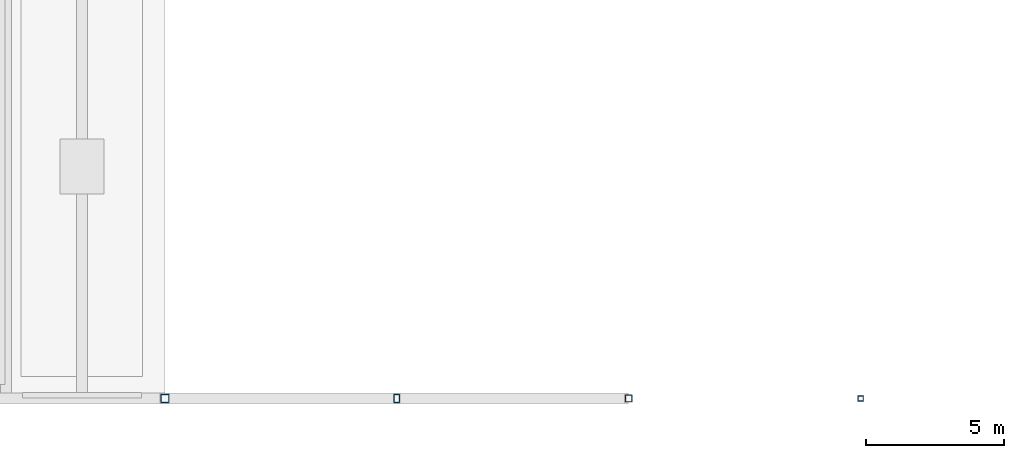
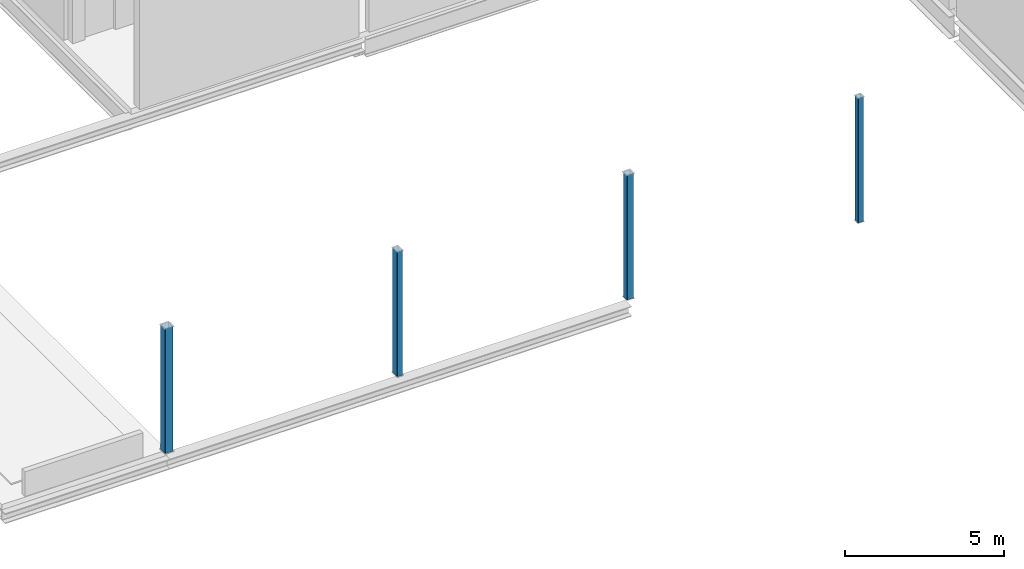
# One storey, part 1 of 27: 4 columns.
"""IFC4 building model written with IfcOpenShell, lengths in metres."""

import ifcopenshell
import ifcopenshell.guid

model = None  # the IFC model being written
_history = None  # IfcOwnerHistory: only IFC2X3 demands one
_inside = {}  # id of a spatial element -> (the spatial element, [elements in it])
_under = {}  # id of a project, library or spatial element -> (it, [spatial elements below it])
_declared = {}  # id of a project -> (the project, [libraries it declares])
_typed = {}  # id of a type object -> (the type object, [elements of that type])
_made_of = {}  # id of a material, layer set ... -> (it, [elements and type objects made of it])


def new_model(schema):
    """Start an empty IFC model of exactly this schema.

    Asked for "IFC4X3", IfcOpenShell would pick the latest addendum, in which some entities
    have other attributes; the version numbers below select the first issue.
    IFC2X3 requires an IfcOwnerHistory on every rooted entity: one is made here for all.
    """
    global model, _history
    if schema == "IFC4X3":
        model = ifcopenshell.file(schema_version=(4, 3, 0, 0))
    else:
        model = ifcopenshell.file(schema=schema)
    _inside.clear()
    _under.clear()
    _declared.clear()
    _typed.clear()
    _made_of.clear()
    _history = None
    if model.schema == "IFC2X3":
        org = make("IfcOrganization", Name="unknown")
        user = make(
            "IfcPersonAndOrganization",
            ThePerson=make("IfcPerson", FamilyName="unknown"),
            TheOrganization=org,
        )
        app = make(
            "IfcApplication",
            ApplicationDeveloper=org,
            Version="unknown",
            ApplicationFullName="unknown",
            ApplicationIdentifier="unknown",
        )
        _history = make(
            "IfcOwnerHistory",
            OwningUser=user,
            OwningApplication=app,
            ChangeAction="ADDED",
            CreationDate=0,
        )
    return model


def make(cls, **values):
    """One entity of the class cls with the attributes given. An attribute that is None is left unset."""
    return model.create_entity(
        cls, **{name: value for name, value in values.items() if value is not None}
    )


def rooted(cls, **values):
    """An entity with a GlobalId (a new one), such as an element, a storey or a relation."""
    return make(cls, GlobalId=ifcopenshell.guid.new(), OwnerHistory=_history, **values)


def si_unit(unit_type, name, prefix=None):
    """IfcSIUnit, for example si_unit("LENGTHUNIT", "METRE", prefix="MILLI")."""
    return make("IfcSIUnit", UnitType=unit_type, Prefix=prefix, Name=name)


def assignment(units):
    """IfcUnitAssignment: the units of a project."""
    return None if units is None else make("IfcUnitAssignment", Units=units)


def point(xyz):
    """IfcCartesianPoint."""
    return None if xyz is None else make("IfcCartesianPoint", Coordinates=xyz)


def direction(xyz):
    """IfcDirection."""
    return None if xyz is None else make("IfcDirection", DirectionRatios=xyz)


def frame(location, z_axis=None, x_axis=None):
    """IfcAxis2Placement3D, a coordinate frame: its origin and axes. An axis left out is left unset."""
    return make(
        "IfcAxis2Placement3D",
        Location=point(location),
        Axis=direction(z_axis),
        RefDirection=direction(x_axis),
    )


def frame_2d(location, x_axis=None):
    """IfcAxis2Placement2D, a coordinate frame in the plane: its origin and x axis."""
    return make(
        "IfcAxis2Placement2D", Location=point(location), RefDirection=direction(x_axis)
    )


def origin():
    """The frame at (0, 0, 0) with its axes left unset."""
    return frame((0.0, 0.0, 0.0))


def origin_2d():
    """The frame at (0, 0) in the plane with its x axis left unset."""
    return frame_2d((0.0, 0.0))


def place(relative_to, where):
    """IfcLocalPlacement: puts the frame where relative to a parent placement (None: the world)."""
    return make(
        "IfcLocalPlacement", PlacementRelTo=relative_to, RelativePlacement=where
    )


def context(
    kind, dimensions, precision=None, world=None, true_north=None, identifier=None
):
    """IfcGeometricRepresentationContext, for example the 3D "Model" context."""
    return make(
        "IfcGeometricRepresentationContext",
        ContextIdentifier=identifier,
        ContextType=kind,
        CoordinateSpaceDimension=dimensions,
        Precision=precision,
        WorldCoordinateSystem=world,
        TrueNorth=true_north,
    )


def subcontext(parent, identifier, kind, view, scale=None):
    """IfcGeometricRepresentationSubContext, for example "Body" below "Model"."""
    return make(
        "IfcGeometricRepresentationSubContext",
        ContextIdentifier=identifier,
        ContextType=kind,
        ParentContext=parent,
        TargetScale=scale,
        TargetView=view,
    )


def project(units=None, contexts=None):
    """IfcProject with its units and contexts."""
    return rooted(
        "IfcProject",
        Name="project",
        RepresentationContexts=contexts,
        UnitsInContext=assignment(units),
    )


def spatial(cls, under=None, at=None, **own):
    """A site, building, storey or space (cls), placed at a placement, below another one or the project."""
    s = rooted(cls, ObjectPlacement=at, **own)
    if under is not None:
        _under.setdefault(under.id(), (under, []))[1].append(s)
    return s


def profile(cls, at=None, kind="AREA", **sizes):
    """A parametric profile (cls). Its sizes go by their IFC names, for example OverallWidth=200.0."""
    return make(cls, ProfileType=kind, Position=at, **sizes)


def hollow_rectangle(**sizes):
    """IfcRectangleHollowProfileDef."""
    return profile("IfcRectangleHollowProfileDef", **sizes)


def extrude(swept, where, along, depth):
    """IfcExtrudedAreaSolid: the profile swept, set in the frame where, extruded along a direction by depth."""
    return make(
        "IfcExtrudedAreaSolid",
        SweptArea=swept,
        Position=where,
        ExtrudedDirection=direction(along),
        Depth=depth,
    )


def shape(context_of_items, identifier, shape_type, items):
    """IfcShapeRepresentation: the items that make up one representation, for example the "Body"."""
    return make(
        "IfcShapeRepresentation",
        ContextOfItems=context_of_items,
        RepresentationIdentifier=identifier,
        RepresentationType=shape_type,
        Items=items,
    )


def material(Name=None, Category=None):
    """IfcMaterial."""
    return make("IfcMaterial", Name=Name, Category=Category)


def material_profile(
    of_material, cross_section, Name=None, Category=None, Priority=None
):
    """IfcMaterialProfile: a cross section and its material."""
    return make(
        "IfcMaterialProfile",
        Name=Name,
        Material=of_material,
        Profile=cross_section,
        Priority=Priority,
        Category=Category,
    )


def profile_set(profiles, Name=None, composite=None):
    """IfcMaterialProfileSet."""
    return make(
        "IfcMaterialProfileSet",
        Name=Name,
        MaterialProfiles=profiles,
        CompositeProfile=composite,
    )


def made_of(thing, what):
    """Note that an element or type object is made of a material, layer set ...; save() writes the relation."""
    if what is not None:
        _made_of.setdefault(what.id(), (what, []))[1].append(thing)
    return thing


def type_object(cls, material=None, **own):
    """A type object (cls), such as IfcWallType, which elements share."""
    return made_of(rooted(cls, **own), material)


def element(
    cls,
    number,
    at=None,
    inside=None,
    cuts=None,
    type_object=None,
    material=None,
    context=None,
    identifier="Body",
    shape_type=None,
    held_by="IfcProductDefinitionShape",
    body=None,
    shapes=None,
    **own,
):
    """One element of the class cls, such as IfcWall. Its Tag is "e" and its number.

    at: its placement. inside: the storey or other place that contains it. cuts: it is an
    opening in that element (IfcRelVoidsElement). A single representation is given by context,
    identifier, shape_type and body (its items); several are given by shapes. held_by: the class
    of the entity that holds the representations. save() writes the other relations.
    """
    e = rooted(cls, Tag="e%d" % number, ObjectPlacement=at, **own)
    if body is not None:
        shapes = [shape(context, identifier, shape_type, body)]
    if shapes is not None:
        e.Representation = make(held_by, Representations=shapes)
    if inside is not None:
        _inside.setdefault(inside.id(), (inside, []))[1].append(e)
    if cuts is not None:
        rooted(
            "IfcRelVoidsElement", RelatingBuildingElement=cuts, RelatedOpeningElement=e
        )
    if type_object is not None:
        _typed.setdefault(type_object.id(), (type_object, []))[1].append(e)
    return made_of(e, material)


def aggregate(whole, parts):
    """IfcRelAggregates: a whole, such as a stair, and the parts it consists of."""
    return rooted("IfcRelAggregates", RelatingObject=whole, RelatedObjects=parts)


def save(model, path):
    """Write the relations noted so far, then the file.

    IfcRelAggregates (storeys below a building ...), IfcRelContainedInSpatialStructure (elements
    in a storey), IfcRelDefinesByType, IfcRelAssociatesMaterial and IfcRelDeclares: one each for
    every whole, place, type object, material and project.
    """
    for whole, parts in _under.values():
        aggregate(whole, parts)
    for where, things in _inside.values():
        rooted(
            "IfcRelContainedInSpatialStructure",
            RelatedElements=things,
            RelatingStructure=where,
        )
    for kind, things in _typed.values():
        rooted("IfcRelDefinesByType", RelatedObjects=things, RelatingType=kind)
    for what, things in _made_of.values():
        rooted("IfcRelAssociatesMaterial", RelatedObjects=things, RelatingMaterial=what)
    for by, libraries in _declared.values():
        rooted("IfcRelDeclares", RelatingContext=by, RelatedDefinitions=libraries)
    model.write(path)


model = new_model("IFC4")

# Units and contexts
model_context = context("Model", 3, precision=1e-05, world=origin(), true_north=direction((0.0, 1.0)))
body_context = subcontext(model_context, "Body", "Model", "MODEL_VIEW")
ifc_project = project(units=[si_unit("LENGTHUNIT", "METRE"), si_unit("AREAUNIT", "SQUARE_METRE"), si_unit("VOLUMEUNIT", "CUBIC_METRE"), si_unit("PLANEANGLEUNIT", "RADIAN"), si_unit("MASSUNIT", "GRAM", prefix="KILO")], contexts=[model_context])

# Site, building, storey
site_placement = place(None, origin())
site = spatial("IfcSite", under=ifc_project, at=site_placement, CompositionType="ELEMENT")
building_placement = place(site_placement, origin())
building = spatial("IfcBuilding", under=site, at=building_placement, Name="Calvrana Isthmian Art Gallery", CompositionType="ELEMENT")
storey_placement = place(building_placement, frame((0.0, 0.0, 24.60009765625)))
storey = spatial("IfcBuildingStorey", under=building, at=storey_placement, Name="L05", CompositionType="ELEMENT", Elevation=24.60009765625)

# Columns
ifc_material = material(Name="Steel ASTM A500 Gr C", Category="steel")
ifc_material_profile_1 = material_profile(ifc_material, hollow_rectangle(XDim=0.203125, YDim=0.203125, WallThickness=0.0126953125, OuterFilletRadius=0.02490234375, at=origin_2d()), Name="HSS203X203X12.7")
ifc_profile_set_1 = profile_set([ifc_material_profile_1], Name="Steel ASTM A500 Gr C")
column_type_1 = type_object("IfcColumnType", Name="COL-STL-HSS203X203X12.7", PredefinedType="COLUMN", material=ifc_profile_set_1)
column_1_placement = place(storey_placement, frame((46.800048828125, 21.60009765625, 0.0), z_axis=(0.0, 0.0, 1.0), x_axis=(1.0, 0.0, 0.0)))
element("IfcColumn", 1, at=column_1_placement, inside=storey, type_object=column_type_1, Name="Column 07/D L05", PredefinedType="COLUMN", context=body_context, shape_type="SweptSolid", body=[
    extrude(hollow_rectangle(XDim=0.203125, YDim=0.203125, WallThickness=0.0126953125, OuterFilletRadius=0.02490234375, at=origin_2d()), origin(), (0.0, 0.0, 1.0), 4.7998046875),
])
ifc_material_profile_2 = material_profile(ifc_material, hollow_rectangle(XDim=0.25390625, YDim=0.25390625, WallThickness=0.0126953125, OuterFilletRadius=0.02490234375, at=origin_2d()), Name="HSS254X254X12.7")
ifc_profile_set_2 = profile_set([ifc_material_profile_2], Name="Steel ASTM A500 Gr C")
column_type_2 = type_object("IfcColumnType", Name="COL-STL-HSS254X254X12.7", PredefinedType="COLUMN", material=ifc_profile_set_2)
column_2_placement = place(storey_placement, frame((38.39990234375, 21.60009765625, 0.0), z_axis=(0.0, 0.0, 1.0), x_axis=(1.0, 0.0, 0.0)))
element("IfcColumn", 2, at=column_2_placement, inside=storey, type_object=column_type_2, Name="Column 06/D L05", PredefinedType="COLUMN", context=body_context, shape_type="SweptSolid", body=[
    extrude(hollow_rectangle(XDim=0.25390625, YDim=0.25390625, WallThickness=0.0126953125, OuterFilletRadius=0.02490234375, at=origin_2d()), origin(), (0.0, 0.0, 1.0), 4.7998046875),
])
ifc_material_profile_3 = material_profile(ifc_material, hollow_rectangle(XDim=0.203125, YDim=0.3046875, WallThickness=0.0126953125, OuterFilletRadius=0.02490234375, at=origin_2d()), Name="HSS305X203X12.7")
ifc_profile_set_3 = profile_set([ifc_material_profile_3], Name="Steel ASTM A500 Gr C")
column_type_3 = type_object("IfcColumnType", Name="COL-STL-HSS305X203X12.7", PredefinedType="COLUMN", material=ifc_profile_set_3)
column_3_placement = place(storey_placement, frame((30.0, 21.60009765625, 0.0), z_axis=(0.0, 0.0, 1.0), x_axis=(1.0, 0.0, 0.0)))
element("IfcColumn", 3, at=column_3_placement, inside=storey, type_object=column_type_3, Name="Column 05/D L05", PredefinedType="COLUMN", context=body_context, shape_type="SweptSolid", body=[
    extrude(hollow_rectangle(XDim=0.203125, YDim=0.3046875, WallThickness=0.0126953125, OuterFilletRadius=0.02490234375, at=origin_2d()), origin(), (0.0, 0.0, 1.0), 4.7998046875),
])
ifc_material_profile_4 = material_profile(ifc_material, hollow_rectangle(XDim=0.3046875, YDim=0.3046875, WallThickness=0.015869140625, OuterFilletRadius=0.031982421875, at=origin_2d()), Name="HSS305X305X15.9")
ifc_profile_set_4 = profile_set([ifc_material_profile_4], Name="Steel ASTM A500 Gr C")
column_type_4 = type_object("IfcColumnType", Name="COL-STL-HSS305X305X15.9", PredefinedType="COLUMN", material=ifc_profile_set_4)
column_4_placement = place(storey_placement, frame((21.60009765625, 21.60009765625, 0.0), z_axis=(0.0, 0.0, 1.0), x_axis=(1.0, 0.0, 0.0)))
element("IfcColumn", 4, at=column_4_placement, inside=storey, type_object=column_type_4, Name="Column 04/D L05", PredefinedType="COLUMN", context=body_context, shape_type="SweptSolid", body=[
    extrude(hollow_rectangle(XDim=0.3046875, YDim=0.3046875, WallThickness=0.015869140625, OuterFilletRadius=0.031982421875, at=origin_2d()), origin(), (0.0, 0.0, 1.0), 4.7998046875),
])

save(model, "model.ifc")
